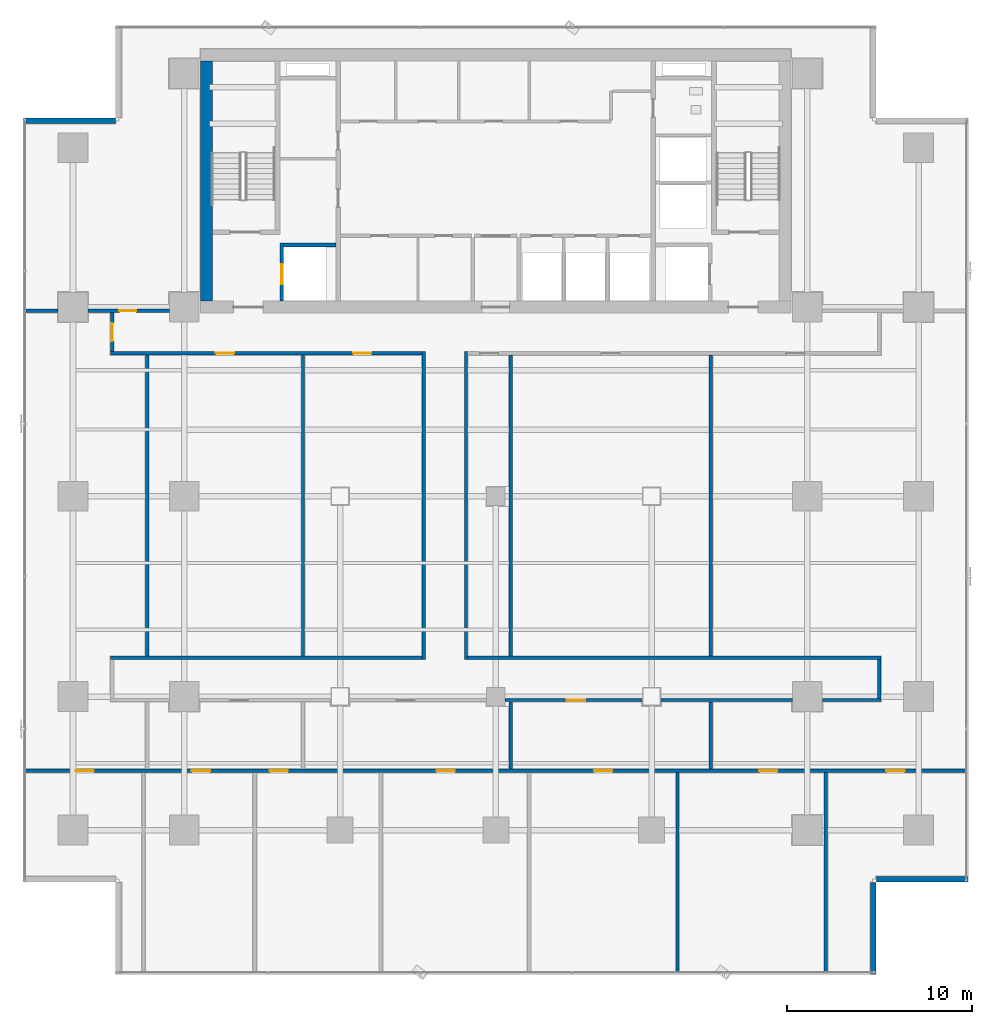
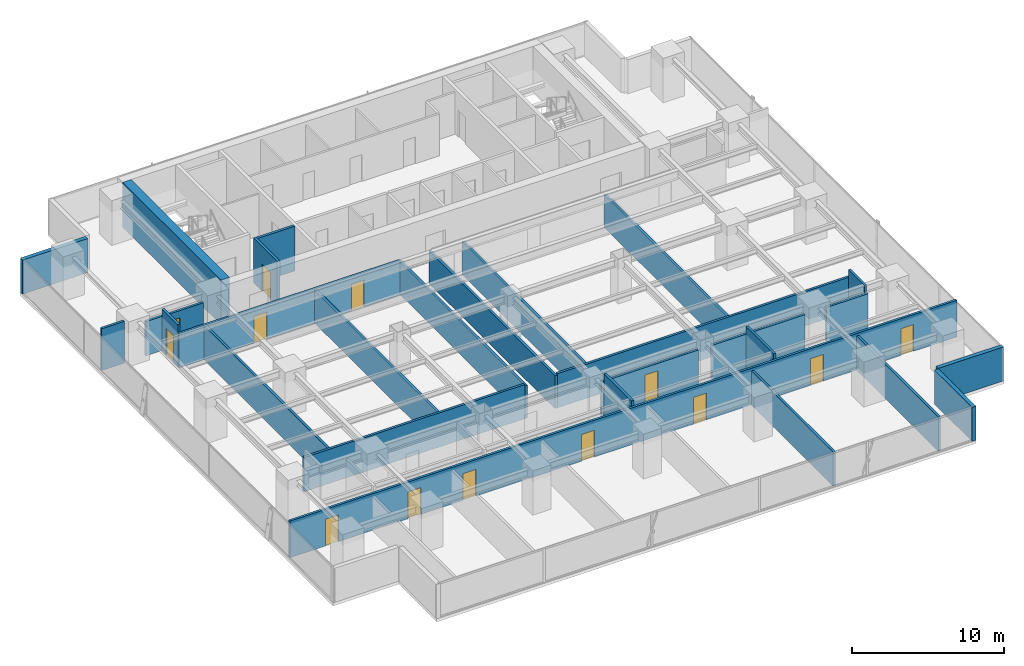
# One storey, part 28 of 37: 27 walls, 13 doors, 13 openings.
"""IFC4 building model written with IfcOpenShell, lengths in metres."""

from ifc_helpers import new_model, si_unit, direction, frame, frame_2d, origin, place, context, subcontext, project, spatial, rectangle, extrude, source, transform, mapped, material, layer, layer_set, type_object, element, fill, save


model = new_model("IFC4")

# Units and contexts
model_context = context("Model", 3, precision=1e-05, world=origin(), true_north=direction((0.0, 1.0)))
body_context = subcontext(model_context, "Body", "Model", "MODEL_VIEW")
ifc_project = project(units=[si_unit("LENGTHUNIT", "METRE"), si_unit("AREAUNIT", "SQUARE_METRE"), si_unit("VOLUMEUNIT", "CUBIC_METRE"), si_unit("PLANEANGLEUNIT", "RADIAN"), si_unit("MASSUNIT", "GRAM", prefix="KILO")], contexts=[model_context])

# Site, building, storey
site_placement = place(None, origin())
site = spatial("IfcSite", under=ifc_project, at=site_placement, CompositionType="ELEMENT")
building_placement = place(site_placement, origin())
building = spatial("IfcBuilding", under=site, at=building_placement, Name="Sumidabori Civic Tower", CompositionType="ELEMENT")
storey_placement = place(building_placement, frame((0.0, 0.0, 117.199951171875)))
storey = spatial("IfcBuildingStorey", under=building, at=storey_placement, Name="L30", CompositionType="ELEMENT", Elevation=117.199951171875)

# Walls
ifc_material_1 = material(Name="Concrete C50/60", Category="concrete")
ifc_layer_1 = layer(ifc_material_1, 0.199951171875, Name="Concrete C50/60")
ifc_layer_set_1 = layer_set([ifc_layer_1], Name="Concrete C50/60")
wall_type_1 = type_object("IfcWallType", Name="WL-SHAFT-200", PredefinedType="SHEAR", material=ifc_layer_set_1)
shared_shape_1 = source(origin(), body_context, "Body", "SweptSolid", [
    extrude(rectangle(XDim=2.824951171875, YDim=0.199951171875, at=frame_2d((1.41259765625, 0.0))), origin(), (0.0, 0.0, 1.0), 3.60009765625),
])
wall_1_placement = place(storey_placement, frame((-11.449951171875, 13.550048828125, 0.0), z_axis=(0.0, 0.0, 1.0), x_axis=(1.0, 0.0, 0.0)))
element("IfcWall", 1, at=wall_1_placement, inside=storey, type_object=wall_type_1, Name="Core Shear Wall L30 EL1-N", PredefinedType="SHEAR", context=body_context, shape_type="MappedRepresentation", body=[
    mapped(shared_shape_1, transform((0.0, 0.0, 0.0), x_axis=(1.0, 0.0, 0.0), y_axis=(0.0, 1.0, 0.0), z_axis=(0.0, 0.0, 1.0), scale=1.0)),
])
ifc_material_2 = material(Name="Concrete C60/75", Category="concrete")
ifc_layer_2 = layer(ifc_material_2, 0.64990234375, Name="Concrete C60/75")
ifc_layer_set_2 = layer_set([ifc_layer_2], Name="Concrete C60/75")
wall_type_2 = type_object("IfcWallType", Name="WL-CORE-650", PredefinedType="SHEAR", material=ifc_layer_set_2)
shared_shape_2 = source(origin(), body_context, "Body", "SweptSolid", [
    extrude(rectangle(XDim=12.9501953125, YDim=0.64990234375, at=frame_2d((6.47509765625, 0.0))), origin(), (0.0, 0.0, 1.0), 3.60009765625),
])
wall_2_placement = place(storey_placement, frame((-15.60009765625, 10.52490234375, 0.0), z_axis=(0.0, 0.0, 1.0), x_axis=(0.0, 1.0, 0.0)))
element("IfcWall", 2, at=wall_2_placement, inside=storey, type_object=wall_type_2, Name="Core Shear Wall L30 W", PredefinedType="SHEAR", context=body_context, shape_type="MappedRepresentation", body=[
    mapped(shared_shape_2, transform((0.0, 0.0, 0.0), x_axis=(1.0, 0.0, 0.0), y_axis=(0.0, 1.0, 0.0), z_axis=(0.0, 0.0, 1.0), scale=1.0)),
])

# Wall, opening, door
shared_shape_3 = source(origin(), body_context, "Body", "SweptSolid", [
    extrude(rectangle(XDim=3.125, YDim=0.199951171875, at=frame_2d((1.5625, 0.0))), origin(), (0.0, 0.0, 1.0), 3.60009765625),
])
wall_3_placement = place(storey_placement, frame((-11.550048828125, 10.52490234375, 0.0), z_axis=(0.0, 0.0, 1.0), x_axis=(0.0, 1.0, 0.0)))
wall_3 = element("IfcWall", 3, at=wall_3_placement, inside=storey, type_object=wall_type_1, Name="Core Shear Wall L30 EL1-W", PredefinedType="SHEAR", context=body_context, shape_type="MappedRepresentation", body=[
    mapped(shared_shape_3, transform((0.0, 0.0, 0.0), x_axis=(1.0, 0.0, 0.0), y_axis=(0.0, 1.0, 0.0), z_axis=(0.0, 0.0, 1.0), scale=1.0)),
])
opening_1_placement = place(wall_3_placement, frame((0.89990234375, 0.0, 0.0)))
opening_1 = element("IfcOpeningElement", 4, at=opening_1_placement, cuts=wall_3, Name="Opening LD-2", PredefinedType="OPENING", context=body_context, shape_type="SweptSolid", body=[
    extrude(rectangle(XDim=1.10009765625, YDim=2.14990234375, at=frame_2d((0.550048828125, 1.074951171875))), frame((0.0, 0.11181640625, 0.0), z_axis=(0.0, -1.0, 0.0), x_axis=(1.0, 0.0, 0.0)), (0.0, 0.0, 1.0), 0.223876953125),
])
ifc_material_3 = material(Name="Stainless Steel Hairline Finish", Category="steel")
door_type_1 = type_object("IfcDoorType", Name="DR-LD2", OperationType="DOUBLE_DOOR_SLIDING", PredefinedType="DOOR", material=ifc_material_3)
shared_shape_4 = source(origin(), body_context, "Body", "SweptSolid", [
    extrude(rectangle(XDim=1.10009765625, YDim=2.14990234375, at=frame_2d((0.550048828125, 1.074951171875))), frame((0.0, 0.02490234375, 0.0), z_axis=(0.0, -1.0, 0.0), x_axis=(1.0, 0.0, 0.0)), (0.0, 0.0, 1.0), 0.050048828125),
])
door_1_placement = place(opening_1_placement, origin())
door_1 = element("IfcDoor", 5, at=door_1_placement, inside=storey, type_object=door_type_1, Name="Door DR:L30:LD-EL1", OperationType="DOUBLE_DOOR_SLIDING", OverallHeight=2.14990234375, OverallWidth=1.10009765625, PredefinedType="DOOR", context=body_context, shape_type="MappedRepresentation", body=[
    mapped(shared_shape_4, transform((0.0, 0.0, 0.0), x_axis=(1.0, 0.0, 0.0), y_axis=(0.0, 1.0, 0.0), z_axis=(0.0, 0.0, 1.0), scale=1.0)),
])
fill(opening_1, door_1)

# Walls
ifc_material_4 = material(Name="Precast concrete C40/50", Category="concrete")
ifc_layer_3 = layer(ifc_material_4, 0.300048828125, Name="Precast concrete C40/50")
ifc_layer_set_3 = layer_set([ifc_layer_3], Name="Precast concrete C40/50")
wall_type_3 = type_object("IfcWallType", Name="WL-EXT-POD300", PredefinedType="STANDARD", material=ifc_layer_set_3)
shared_shape_5 = source(origin(), body_context, "Body", "SweptSolid", [
    extrude(rectangle(XDim=4.9599609375, YDim=0.300048828125, at=frame_2d((2.47998046875, 0.0))), origin(), (0.0, 0.0, 1.0), 2.739990234375),
])
for number, where, z_axis, x_axis, name in (
    (6, (20.35009765625, -25.780029296875, 0.0), (0.0, 0.0, 1.0), (0.0, 1.0, 0.0), "Notched Corner Spandrel Band L30-02"),
    (7, (20.52001953125, -20.64990234375, 0.0), (0.0, 0.0, 1.0), (1.0, 0.0, 0.0), "Notched Corner Spandrel Band L30-03"),
    (8, (-20.52001953125, 20.25, 0.0), (0.0, 0.0, 1.0), (-1.0, 0.0, 0.0), "Notched Corner Spandrel Band L30-09"),
):
    element("IfcWall", number, at=place(storey_placement, frame(where, z_axis=z_axis, x_axis=x_axis)), inside=storey, type_object=wall_type_3, Name=name, PredefinedType="STANDARD", context=body_context, shape_type="MappedRepresentation", body=[
        mapped(shared_shape_5, transform((0.0, 0.0, 0.0), x_axis=(1.0, 0.0, 0.0), y_axis=(0.0, 1.0, 0.0), z_axis=(0.0, 0.0, 1.0), scale=1.0)),
    ])
ifc_material_5 = material(Name="Gypsum Plasterboard Acoustic Partition")
ifc_layer_4 = layer(ifc_material_5, 0.179931640625, Name="Gypsum Plasterboard Acoustic Partition")
ifc_layer_set_4 = layer_set([ifc_layer_4], Name="Gypsum Plasterboard Acoustic Partition")
wall_type_4 = type_object("IfcWallType", Name="WL-PART-180", PredefinedType="PARTITIONING", material=ifc_layer_set_4)
shared_shape_6 = source(origin(), body_context, "Body", "SweptSolid", [
    extrude(rectangle(XDim=16.60009765625, YDim=0.179931640625, at=frame_2d((8.300048828125, 0.0))), origin(), (0.0, 0.0, 1.0), 2.64501953125),
])
for number, where, z_axis, x_axis, name in (
    (9, (-3.889892578125, -8.800048828125, 0.0), (0.0, 0.0, 1.0), (0.0, 1.0, 0.0), "Interior Partition WL:L30:CORR-VSP-W"),
    (10, (-1.610107421875, -8.800048828125, 0.0), (0.0, 0.0, 1.0), (0.0, 1.0, 0.0), "Interior Partition WL:L30:CORR-VSP-E"),
):
    element("IfcWall", number, at=place(storey_placement, frame(where, z_axis=z_axis, x_axis=x_axis)), inside=storey, type_object=wall_type_4, Name=name, PredefinedType="PARTITIONING", context=body_context, shape_type="MappedRepresentation", body=[
        mapped(shared_shape_6, transform((0.0, 0.0, 0.0), x_axis=(1.0, 0.0, 0.0), y_axis=(0.0, 1.0, 0.0), z_axis=(0.0, 0.0, 1.0), scale=1.0)),
    ])
shared_shape_7 = source(origin(), body_context, "Body", "SweptSolid", [
    extrude(rectangle(XDim=16.22998046875, YDim=0.179931640625, at=frame_2d((8.114990234375, 0.0))), origin(), (0.0, 0.0, 1.0), 2.64501953125),
])
for number, where, z_axis, x_axis, name in (
    (11, (-10.39990234375, -8.614990234375, 0.0), (0.0, 0.0, 1.0), (0.0, 1.0, 0.0), "Interior Partition WL:L30:VX-N2-2"),
    (12, (0.800048828125, -8.614990234375, 0.0), (0.0, 0.0, 1.0), (0.0, 1.0, 0.0), "Interior Partition WL:L30:VX-N3-2"),
    (13, (11.60009765625, -8.614990234375, 0.0), (0.0, 0.0, 1.0), (0.0, 1.0, 0.0), "Interior Partition WL:L30:VX-N4-2"),
):
    element("IfcWall", number, at=place(storey_placement, frame(where, z_axis=z_axis, x_axis=x_axis)), inside=storey, type_object=wall_type_4, Name=name, PredefinedType="PARTITIONING", context=body_context, shape_type="MappedRepresentation", body=[
        mapped(shared_shape_7, transform((0.0, 0.0, 0.0), x_axis=(1.0, 0.0, 0.0), y_axis=(0.0, 1.0, 0.0), z_axis=(0.0, 0.0, 1.0), scale=1.0)),
    ])
shared_shape_8 = source(origin(), body_context, "Body", "SweptSolid", [
    extrude(rectangle(XDim=1.739990234375, YDim=0.179931640625, at=frame_2d((0.8701171875, 0.0))), origin(), (0.0, 0.0, 1.0), 3.360107421875),
])
wall_4_placement = place(storey_placement, frame((-25.35009765625, 10.0, 0.0), z_axis=(0.0, 0.0, 1.0), x_axis=(1.0, 0.0, 0.0)))
element("IfcWall", 14, at=wall_4_placement, inside=storey, type_object=wall_type_4, Name="Interior Partition WL:L30:FLK-NW-1", PredefinedType="PARTITIONING", context=body_context, shape_type="MappedRepresentation", body=[
    mapped(shared_shape_8, transform((0.0, 0.0, 0.0), x_axis=(1.0, 0.0, 0.0), y_axis=(0.0, 1.0, 0.0), z_axis=(0.0, 0.0, 1.0), scale=1.0)),
])

# Wall, opening, door
shared_shape_9 = source(origin(), body_context, "Body", "SweptSolid", [
    extrude(rectangle(XDim=4.3798828125, YDim=0.179931640625, at=frame_2d((2.18994140625, 0.0))), origin(), (0.0, 0.0, 1.0), 2.7451171875),
])
wall_5_placement = place(storey_placement, frame((-21.989990234375, 10.0, 0.0), z_axis=(0.0, 0.0, 1.0), x_axis=(1.0, 0.0, 0.0)))
wall_5 = element("IfcWall", 15, at=wall_5_placement, inside=storey, type_object=wall_type_4, Name="Interior Partition WL:L30:FLK-NW-2", PredefinedType="PARTITIONING", context=body_context, shape_type="MappedRepresentation", body=[
    mapped(shared_shape_9, transform((0.0, 0.0, 0.0), x_axis=(1.0, 0.0, 0.0), y_axis=(0.0, 1.0, 0.0), z_axis=(0.0, 0.0, 1.0), scale=1.0)),
])
opening_2_placement = place(wall_5_placement, frame((1.695068359375, 0.0, 0.0)))
opening_2 = element("IfcOpeningElement", 16, at=opening_2_placement, cuts=wall_5, Name="Opening DR-1", PredefinedType="OPENING", context=body_context, shape_type="SweptSolid", body=[
    extrude(rectangle(XDim=0.89990234375, YDim=2.14990234375, at=frame_2d((0.449951171875, 1.074951171875))), frame((0.0, 0.10205078125, 0.0), z_axis=(0.0, -1.0, 0.0), x_axis=(1.0, 0.0, 0.0)), (0.0, 0.0, 1.0), 0.203857421875),
])
ifc_material_6 = material(Name="Japanese Hinoki Timber", Category="wood")
door_type_2 = type_object("IfcDoorType", Name="DR-INT-900", OperationType="NOTDEFINED", PredefinedType="DOOR", material=ifc_material_6)
shared_shape_10 = source(origin(), body_context, "Body", "SweptSolid", [
    extrude(rectangle(XDim=0.89990234375, YDim=2.14990234375, at=frame_2d((0.449951171875, 1.074951171875))), frame((0.0, 0.02490234375, 0.0), z_axis=(0.0, -1.0, 0.0), x_axis=(1.0, 0.0, 0.0)), (0.0, 0.0, 1.0), 0.050048828125),
])
door_2_placement = place(opening_2_placement, origin())
door_2 = element("IfcDoor", 17, at=door_2_placement, inside=storey, type_object=door_type_2, Name="Door DR:L30:FLK-NW", OperationType="SINGLE_SWING_LEFT", OverallHeight=2.14990234375, OverallWidth=0.89990234375, PredefinedType="DOOR", context=body_context, shape_type="MappedRepresentation", body=[
    mapped(shared_shape_10, transform((0.0, 0.0, 0.0), x_axis=(1.0, 0.0, 0.0), y_axis=(0.0, 1.0, 0.0), z_axis=(0.0, 0.0, 1.0), scale=1.0)),
])
fill(opening_2, door_2)

# Wall, openings, doors
shared_shape_11 = source(origin(), body_context, "Body", "SweptSolid", [
    extrude(rectangle(XDim=16.800048828125, YDim=0.179931640625, at=frame_2d((8.39990234375, 0.0))), origin(), (0.0, 0.0, 1.0), 2.7451171875),
])
wall_6_placement = place(storey_placement, frame((-20.780029296875, 7.7099609375, 0.0), z_axis=(0.0, 0.0, 1.0), x_axis=(1.0, 0.0, 0.0)))
wall_6 = element("IfcWall", 18, at=wall_6_placement, inside=storey, type_object=wall_type_4, Name="Interior Partition WL:L30:CORR-SW", PredefinedType="PARTITIONING", context=body_context, shape_type="MappedRepresentation", body=[
    mapped(shared_shape_11, transform((0.0, 0.0, 0.0), x_axis=(1.0, 0.0, 0.0), y_axis=(0.0, 1.0, 0.0), z_axis=(0.0, 0.0, 1.0), scale=1.0)),
])
opening_3_placement = place(wall_6_placement, frame((5.68994140625, 0.0, 0.0)))
opening_3 = element("IfcOpeningElement", 19, at=opening_3_placement, cuts=wall_6, Name="Opening DR-3", PredefinedType="OPENING", context=body_context, shape_type="SweptSolid", body=[
    extrude(rectangle(XDim=0.97998046875, YDim=2.14990234375, at=frame_2d((0.489990234375, 1.074951171875))), frame((0.0, 0.10205078125, 0.0), z_axis=(0.0, -1.0, 0.0), x_axis=(1.0, 0.0, 0.0)), (0.0, 0.0, 1.0), 0.203857421875),
])
opening_4_placement = place(wall_6_placement, frame((13.0849609375, 0.0, 0.0)))
opening_4 = element("IfcOpeningElement", 20, at=opening_4_placement, cuts=wall_6, Name="Opening DR-3", PredefinedType="OPENING", context=body_context, shape_type="SweptSolid", body=[
    extrude(rectangle(XDim=0.97998046875, YDim=2.14990234375, at=frame_2d((0.489990234375, 1.074951171875))), frame((0.0, 0.10205078125, 0.0), z_axis=(0.0, -1.0, 0.0), x_axis=(1.0, 0.0, 0.0)), (0.0, 0.0, 1.0), 0.203857421875),
])
door_type_3 = type_object("IfcDoorType", Name="DR-INT-980", OperationType="NOTDEFINED", PredefinedType="DOOR", material=ifc_material_6)
shared_shape_12 = source(origin(), body_context, "Body", "SweptSolid", [
    extrude(rectangle(XDim=0.97998046875, YDim=2.14990234375, at=frame_2d((0.489990234375, 1.074951171875))), frame((0.0, 0.02490234375, 0.0), z_axis=(0.0, -1.0, 0.0), x_axis=(1.0, 0.0, 0.0)), (0.0, 0.0, 1.0), 0.050048828125),
])
door_3_placement = place(opening_3_placement, origin())
door_3 = element("IfcDoor", 21, at=door_3_placement, inside=storey, type_object=door_type_3, Name="Door DR:L30:D02", OperationType="SINGLE_SWING_RIGHT", OverallHeight=2.14990234375, OverallWidth=0.97998046875, PredefinedType="DOOR", context=body_context, shape_type="MappedRepresentation", body=[
    mapped(shared_shape_12, transform((0.0, 0.0, 0.0), x_axis=(1.0, 0.0, 0.0), y_axis=(0.0, 1.0, 0.0), z_axis=(0.0, 0.0, 1.0), scale=1.0)),
])
fill(opening_3, door_3)
door_4_placement = place(opening_4_placement, origin())
door_4 = element("IfcDoor", 22, at=door_4_placement, inside=storey, type_object=door_type_3, Name="Door DR:L30:D03", OperationType="SINGLE_SWING_LEFT", OverallHeight=2.14990234375, OverallWidth=0.97998046875, PredefinedType="DOOR", context=body_context, shape_type="MappedRepresentation", body=[
    mapped(shared_shape_12, transform((0.0, 0.0, 0.0), x_axis=(1.0, 0.0, 0.0), y_axis=(0.0, 1.0, 0.0), z_axis=(0.0, 0.0, 1.0), scale=1.0)),
])
fill(opening_4, door_4)

# Walls
wall_7_placement = place(storey_placement, frame((-20.780029296875, -8.7099609375, 0.0), z_axis=(0.0, 0.0, 1.0), x_axis=(1.0, 0.0, 0.0)))
element("IfcWall", 23, at=wall_7_placement, inside=storey, type_object=wall_type_4, Name="Interior Partition WL:L30:CORR-MNW", PredefinedType="PARTITIONING", context=body_context, shape_type="MappedRepresentation", body=[
    mapped(shared_shape_11, transform((0.0, 0.0, 0.0), x_axis=(1.0, 0.0, 0.0), y_axis=(0.0, 1.0, 0.0), z_axis=(0.0, 0.0, 1.0), scale=1.0)),
])
shared_shape_13 = source(origin(), body_context, "Body", "SweptSolid", [
    extrude(rectangle(XDim=22.300048828125, YDim=0.179931640625, at=frame_2d((11.14990234375, 0.0))), origin(), (0.0, 0.0, 1.0), 2.7451171875),
])
wall_8_placement = place(storey_placement, frame((-1.52001953125, -8.7099609375, 0.0), z_axis=(0.0, 0.0, 1.0), x_axis=(1.0, 0.0, 0.0)))
element("IfcWall", 24, at=wall_8_placement, inside=storey, type_object=wall_type_4, Name="Interior Partition WL:L30:CORR-MNE", PredefinedType="PARTITIONING", context=body_context, shape_type="MappedRepresentation", body=[
    mapped(shared_shape_13, transform((0.0, 0.0, 0.0), x_axis=(1.0, 0.0, 0.0), y_axis=(0.0, 1.0, 0.0), z_axis=(0.0, 0.0, 1.0), scale=1.0)),
])
shared_shape_14 = source(origin(), body_context, "Body", "SweptSolid", [
    extrude(rectangle(XDim=3.169921875, YDim=0.179931640625, at=frame_2d((1.5849609375, 0.0))), origin(), (0.0, 0.0, 1.0), 2.7451171875),
])
wall_9_placement = place(storey_placement, frame((17.610107421875, -10.989990234375, 0.0), z_axis=(0.0, 0.0, 1.0), x_axis=(1.0, 0.0, 0.0)))
element("IfcWall", 25, at=wall_9_placement, inside=storey, type_object=wall_type_4, Name="Interior Partition WL:L30:CORR-SS-6", PredefinedType="PARTITIONING", context=body_context, shape_type="MappedRepresentation", body=[
    mapped(shared_shape_14, transform((0.0, 0.0, 0.0), x_axis=(1.0, 0.0, 0.0), y_axis=(0.0, 1.0, 0.0), z_axis=(0.0, 0.0, 1.0), scale=1.0)),
])
shared_shape_15 = source(origin(), body_context, "Body", "SweptSolid", [
    extrude(rectangle(XDim=7.080078125, YDim=0.179931640625, at=frame_2d((3.5400390625, 0.0))), origin(), (0.0, 0.0, 1.0), 2.7451171875),
])
wall_10_placement = place(storey_placement, frame((8.909912109375, -10.989990234375, 0.0), z_axis=(0.0, 0.0, 1.0), x_axis=(1.0, 0.0, 0.0)))
element("IfcWall", 26, at=wall_10_placement, inside=storey, type_object=wall_type_4, Name="Interior Partition WL:L30:CORR-SS-5", PredefinedType="PARTITIONING", context=body_context, shape_type="MappedRepresentation", body=[
    mapped(shared_shape_15, transform((0.0, 0.0, 0.0), x_axis=(1.0, 0.0, 0.0), y_axis=(0.0, 1.0, 0.0), z_axis=(0.0, 0.0, 1.0), scale=1.0)),
])

# Wall, opening, door
shared_shape_16 = source(origin(), body_context, "Body", "SweptSolid", [
    extrude(rectangle(XDim=7.3798828125, YDim=0.179931640625, at=frame_2d((3.68994140625, 0.0))), origin(), (0.0, 0.0, 1.0), 2.7451171875),
])
wall_11_placement = place(storey_placement, frame((0.510009765625, -10.989990234375, 0.0), z_axis=(0.0, 0.0, 1.0), x_axis=(1.0, 0.0, 0.0)))
wall_11 = element("IfcWall", 27, at=wall_11_placement, inside=storey, type_object=wall_type_4, Name="Interior Partition WL:L30:CORR-SS-4", PredefinedType="PARTITIONING", context=body_context, shape_type="MappedRepresentation", body=[
    mapped(shared_shape_16, transform((0.0, 0.0, 0.0), x_axis=(1.0, 0.0, 0.0), y_axis=(0.0, 1.0, 0.0), z_axis=(0.0, 0.0, 1.0), scale=1.0)),
])
opening_5_placement = place(wall_11_placement, frame((3.330078125, 0.0, 0.0)))
opening_5 = element("IfcOpeningElement", 28, at=opening_5_placement, cuts=wall_11, Name="Opening DR-3", PredefinedType="OPENING", context=body_context, shape_type="SweptSolid", body=[
    extrude(rectangle(XDim=0.97998046875, YDim=2.14990234375, at=frame_2d((0.489990234375, 1.074951171875))), frame((0.0, 0.10205078125, 0.0), z_axis=(0.0, -1.0, 0.0), x_axis=(1.0, 0.0, 0.0)), (0.0, 0.0, 1.0), 0.203857421875),
])
door_5_placement = place(opening_5_placement, origin())
door_5 = element("IfcDoor", 29, at=door_5_placement, inside=storey, type_object=door_type_3, Name="Door DR:L30:D10", OperationType="SINGLE_SWING_RIGHT", OverallHeight=2.14990234375, OverallWidth=0.97998046875, PredefinedType="DOOR", context=body_context, shape_type="MappedRepresentation", body=[
    mapped(shared_shape_12, transform((0.0, 0.0, 0.0), x_axis=(1.0, 0.0, 0.0), y_axis=(0.0, 1.0, 0.0), z_axis=(0.0, 0.0, 1.0), scale=1.0)),
])
fill(opening_5, door_5)

shared_shape_17 = source(origin(), body_context, "Body", "SweptSolid", [
    extrude(rectangle(XDim=2.10009765625, YDim=0.179931640625, at=frame_2d((1.050048828125, 0.0))), origin(), (0.0, 0.0, 1.0), 3.360107421875),
])
wall_12_placement = place(storey_placement, frame((-20.68994140625, 7.804931640625, 0.0), z_axis=(0.0, 0.0, 1.0), x_axis=(0.0, 1.0, 0.0)))
wall_12 = element("IfcWall", 30, at=wall_12_placement, inside=storey, type_object=wall_type_4, Name="Interior Partition WL:L30:CORR-VNW", PredefinedType="PARTITIONING", context=body_context, shape_type="MappedRepresentation", body=[
    mapped(shared_shape_17, transform((0.0, 0.0, 0.0), x_axis=(1.0, 0.0, 0.0), y_axis=(0.0, 1.0, 0.0), z_axis=(0.0, 0.0, 1.0), scale=1.0)),
])
opening_6_placement = place(wall_12_placement, frame((0.56005859375, 0.0, 0.0)))
opening_6 = element("IfcOpeningElement", 31, at=opening_6_placement, cuts=wall_12, Name="Opening DR-3", PredefinedType="OPENING", context=body_context, shape_type="SweptSolid", body=[
    extrude(rectangle(XDim=0.97998046875, YDim=2.14990234375, at=frame_2d((0.489990234375, 1.074951171875))), frame((0.0, 0.10205078125, 0.0), z_axis=(0.0, -1.0, 0.0), x_axis=(1.0, 0.0, 0.0)), (0.0, 0.0, 1.0), 0.203857421875),
])
door_6_placement = place(opening_6_placement, origin())
door_6 = element("IfcDoor", 32, at=door_6_placement, inside=storey, type_object=door_type_3, Name="Door DR:L30:D06", OperationType="SINGLE_SWING_RIGHT", OverallHeight=2.14990234375, OverallWidth=0.97998046875, PredefinedType="DOOR", context=body_context, shape_type="MappedRepresentation", body=[
    mapped(shared_shape_12, transform((0.0, 0.0, 0.0), x_axis=(1.0, 0.0, 0.0), y_axis=(0.0, 1.0, 0.0), z_axis=(0.0, 0.0, 1.0), scale=1.0)),
])
fill(opening_6, door_6)

# Wall
shared_shape_18 = source(origin(), body_context, "Body", "SweptSolid", [
    extrude(rectangle(XDim=2.090087890625, YDim=0.179931640625, at=frame_2d((1.044921875, 0.0))), origin(), (0.0, 0.0, 1.0), 3.360107421875),
])
wall_13_placement = place(storey_placement, frame((20.68994140625, -10.89501953125, 0.0), z_axis=(0.0, 0.0, 1.0), x_axis=(0.0, 1.0, 0.0)))
element("IfcWall", 33, at=wall_13_placement, inside=storey, type_object=wall_type_4, Name="Interior Partition WL:L30:CORR-VSE", PredefinedType="PARTITIONING", context=body_context, shape_type="MappedRepresentation", body=[
    mapped(shared_shape_18, transform((0.0, 0.0, 0.0), x_axis=(1.0, 0.0, 0.0), y_axis=(0.0, 1.0, 0.0), z_axis=(0.0, 0.0, 1.0), scale=1.0)),
])

# Wall, openings, doors
shared_shape_19 = source(origin(), body_context, "Body", "SweptSolid", [
    extrude(rectangle(XDim=50.7001953125, YDim=0.179931640625, at=frame_2d((25.35009765625, 0.0))), origin(), (0.0, 0.0, 1.0), 2.945068359375),
])
wall_14_placement = place(storey_placement, frame((-25.35009765625, -14.800048828125, 0.0), z_axis=(0.0, 0.0, 1.0), x_axis=(1.0, 0.0, 0.0)))
wall_14 = element("IfcWall", 34, at=wall_14_placement, inside=storey, type_object=wall_type_4, Name="Interior Partition WL:L30:BAND-Y", PredefinedType="PARTITIONING", context=body_context, shape_type="MappedRepresentation", body=[
    mapped(shared_shape_19, transform((0.0, 0.0, 0.0), x_axis=(1.0, 0.0, 0.0), y_axis=(0.0, 1.0, 0.0), z_axis=(0.0, 0.0, 1.0), scale=1.0)),
])
opening_7_placement = place(wall_14_placement, frame((2.699951171875, 0.0, 0.0)))
opening_7 = element("IfcOpeningElement", 35, at=opening_7_placement, cuts=wall_14, Name="Opening DR-3", PredefinedType="OPENING", context=body_context, shape_type="SweptSolid", body=[
    extrude(rectangle(XDim=0.97998046875, YDim=2.14990234375, at=frame_2d((0.489990234375, 1.074951171875))), frame((0.0, 0.10205078125, 0.0), z_axis=(0.0, -1.0, 0.0), x_axis=(1.0, 0.0, 0.0)), (0.0, 0.0, 1.0), 0.203857421875),
])
opening_8_placement = place(wall_14_placement, frame((46.419921875, 0.0, 0.0)))
opening_8 = element("IfcOpeningElement", 36, at=opening_8_placement, cuts=wall_14, Name="Opening DR-3", PredefinedType="OPENING", context=body_context, shape_type="SweptSolid", body=[
    extrude(rectangle(XDim=0.97998046875, YDim=2.14990234375, at=frame_2d((0.489990234375, 1.074951171875))), frame((0.0, 0.10205078125, 0.0), z_axis=(0.0, -1.0, 0.0), x_axis=(1.0, 0.0, 0.0)), (0.0, 0.0, 1.0), 0.203857421875),
])
opening_9_placement = place(wall_14_placement, frame((13.159912109375, 0.0, 0.0)))
opening_9 = element("IfcOpeningElement", 37, at=opening_9_placement, cuts=wall_14, Name="Opening DR-3", PredefinedType="OPENING", context=body_context, shape_type="SweptSolid", body=[
    extrude(rectangle(XDim=0.97998046875, YDim=2.14990234375, at=frame_2d((0.489990234375, 1.074951171875))), frame((0.0, 0.10205078125, 0.0), z_axis=(0.0, -1.0, 0.0), x_axis=(1.0, 0.0, 0.0)), (0.0, 0.0, 1.0), 0.203857421875),
])
opening_10_placement = place(wall_14_placement, frame((22.159912109375, 0.0, 0.0)))
opening_10 = element("IfcOpeningElement", 38, at=opening_10_placement, cuts=wall_14, Name="Opening DR-3", PredefinedType="OPENING", context=body_context, shape_type="SweptSolid", body=[
    extrude(rectangle(XDim=0.97998046875, YDim=2.14990234375, at=frame_2d((0.489990234375, 1.074951171875))), frame((0.0, 0.10205078125, 0.0), z_axis=(0.0, -1.0, 0.0), x_axis=(1.0, 0.0, 0.0)), (0.0, 0.0, 1.0), 0.203857421875),
])
opening_11_placement = place(wall_14_placement, frame((30.659912109375, 0.0, 0.0)))
opening_11 = element("IfcOpeningElement", 39, at=opening_11_placement, cuts=wall_14, Name="Opening DR-3", PredefinedType="OPENING", context=body_context, shape_type="SweptSolid", body=[
    extrude(rectangle(XDim=0.97998046875, YDim=2.14990234375, at=frame_2d((0.489990234375, 1.074951171875))), frame((0.0, 0.10205078125, 0.0), z_axis=(0.0, -1.0, 0.0), x_axis=(1.0, 0.0, 0.0)), (0.0, 0.0, 1.0), 0.203857421875),
])
opening_12_placement = place(wall_14_placement, frame((8.9599609375, 0.0, 0.0)))
opening_12 = element("IfcOpeningElement", 40, at=opening_12_placement, cuts=wall_14, Name="Opening DR-3", PredefinedType="OPENING", context=body_context, shape_type="SweptSolid", body=[
    extrude(rectangle(XDim=0.97998046875, YDim=2.14990234375, at=frame_2d((0.489990234375, 1.074951171875))), frame((0.0, 0.10205078125, 0.0), z_axis=(0.0, -1.0, 0.0), x_axis=(1.0, 0.0, 0.0)), (0.0, 0.0, 1.0), 0.203857421875),
])
opening_13_placement = place(wall_14_placement, frame((39.56005859375, 0.0, 0.0)))
opening_13 = element("IfcOpeningElement", 41, at=opening_13_placement, cuts=wall_14, Name="Opening DR-3", PredefinedType="OPENING", context=body_context, shape_type="SweptSolid", body=[
    extrude(rectangle(XDim=0.97998046875, YDim=2.14990234375, at=frame_2d((0.489990234375, 1.074951171875))), frame((0.0, 0.10205078125, 0.0), z_axis=(0.0, -1.0, 0.0), x_axis=(1.0, 0.0, 0.0)), (0.0, 0.0, 1.0), 0.203857421875),
])
door_7_placement = place(opening_7_placement, origin())
door_7 = element("IfcDoor", 42, at=door_7_placement, inside=storey, type_object=door_type_3, Name="Door DR:L30:D11", OperationType="SINGLE_SWING_LEFT", OverallHeight=2.14990234375, OverallWidth=0.97998046875, PredefinedType="DOOR", context=body_context, shape_type="MappedRepresentation", body=[
    mapped(shared_shape_12, transform((0.0, 0.0, 0.0), x_axis=(1.0, 0.0, 0.0), y_axis=(0.0, 1.0, 0.0), z_axis=(0.0, 0.0, 1.0), scale=1.0)),
])
fill(opening_7, door_7)
door_8_placement = place(opening_8_placement, origin())
door_8 = element("IfcDoor", 43, at=door_8_placement, inside=storey, type_object=door_type_3, Name="Door DR:L30:D12", OperationType="SINGLE_SWING_RIGHT", OverallHeight=2.14990234375, OverallWidth=0.97998046875, PredefinedType="DOOR", context=body_context, shape_type="MappedRepresentation", body=[
    mapped(shared_shape_12, transform((0.0, 0.0, 0.0), x_axis=(1.0, 0.0, 0.0), y_axis=(0.0, 1.0, 0.0), z_axis=(0.0, 0.0, 1.0), scale=1.0)),
])
fill(opening_8, door_8)
door_9_placement = place(opening_9_placement, origin())
door_9 = element("IfcDoor", 44, at=door_9_placement, inside=storey, type_object=door_type_3, Name="Door DR:L30:D13", OperationType="SINGLE_SWING_LEFT", OverallHeight=2.14990234375, OverallWidth=0.97998046875, PredefinedType="DOOR", context=body_context, shape_type="MappedRepresentation", body=[
    mapped(shared_shape_12, transform((0.0, 0.0, 0.0), x_axis=(1.0, 0.0, 0.0), y_axis=(0.0, 1.0, 0.0), z_axis=(0.0, 0.0, 1.0), scale=1.0)),
])
fill(opening_9, door_9)
door_10_placement = place(opening_10_placement, origin())
door_10 = element("IfcDoor", 45, at=door_10_placement, inside=storey, type_object=door_type_3, Name="Door DR:L30:D14", OperationType="SINGLE_SWING_RIGHT", OverallHeight=2.14990234375, OverallWidth=0.97998046875, PredefinedType="DOOR", context=body_context, shape_type="MappedRepresentation", body=[
    mapped(shared_shape_12, transform((0.0, 0.0, 0.0), x_axis=(1.0, 0.0, 0.0), y_axis=(0.0, 1.0, 0.0), z_axis=(0.0, 0.0, 1.0), scale=1.0)),
])
fill(opening_10, door_10)
door_11_placement = place(opening_11_placement, origin())
door_11 = element("IfcDoor", 46, at=door_11_placement, inside=storey, type_object=door_type_3, Name="Door DR:L30:D15", OperationType="SINGLE_SWING_LEFT", OverallHeight=2.14990234375, OverallWidth=0.97998046875, PredefinedType="DOOR", context=body_context, shape_type="MappedRepresentation", body=[
    mapped(shared_shape_12, transform((0.0, 0.0, 0.0), x_axis=(1.0, 0.0, 0.0), y_axis=(0.0, 1.0, 0.0), z_axis=(0.0, 0.0, 1.0), scale=1.0)),
])
fill(opening_11, door_11)
door_12_placement = place(opening_12_placement, origin())
door_12 = element("IfcDoor", 47, at=door_12_placement, inside=storey, type_object=door_type_3, Name="Door DR:L30:D16", OperationType="SINGLE_SWING_RIGHT", OverallHeight=2.14990234375, OverallWidth=0.97998046875, PredefinedType="DOOR", context=body_context, shape_type="MappedRepresentation", body=[
    mapped(shared_shape_12, transform((0.0, 0.0, 0.0), x_axis=(1.0, 0.0, 0.0), y_axis=(0.0, 1.0, 0.0), z_axis=(0.0, 0.0, 1.0), scale=1.0)),
])
fill(opening_12, door_12)
door_13_placement = place(opening_13_placement, origin())
door_13 = element("IfcDoor", 48, at=door_13_placement, inside=storey, type_object=door_type_3, Name="Door DR:L30:D17", OperationType="SINGLE_SWING_LEFT", OverallHeight=2.14990234375, OverallWidth=0.97998046875, PredefinedType="DOOR", context=body_context, shape_type="MappedRepresentation", body=[
    mapped(shared_shape_12, transform((0.0, 0.0, 0.0), x_axis=(1.0, 0.0, 0.0), y_axis=(0.0, 1.0, 0.0), z_axis=(0.0, 0.0, 1.0), scale=1.0)),
])
fill(opening_13, door_13)

# Walls
shared_shape_20 = source(origin(), body_context, "Body", "SweptSolid", [
    extrude(rectangle(XDim=3.6201171875, YDim=0.179931640625, at=frame_2d((1.81005859375, 0.0))), origin(), (0.0, 0.0, 1.0), 3.360107421875),
])
for number, where, z_axis, x_axis, name in (
    (49, (0.800048828125, -14.705078125, 0.0), (0.0, 0.0, 1.0), (0.0, 1.0, 0.0), "Interior Partition WL:L30:VX-N3-1"),
    (50, (11.60009765625, -14.705078125, 0.0), (0.0, 0.0, 1.0), (0.0, 1.0, 0.0), "Interior Partition WL:L30:VX-N4-1"),
):
    element("IfcWall", number, at=place(storey_placement, frame(where, z_axis=z_axis, x_axis=x_axis)), inside=storey, type_object=wall_type_4, Name=name, PredefinedType="PARTITIONING", context=body_context, shape_type="MappedRepresentation", body=[
        mapped(shared_shape_20, transform((0.0, 0.0, 0.0), x_axis=(1.0, 0.0, 0.0), y_axis=(0.0, 1.0, 0.0), z_axis=(0.0, 0.0, 1.0), scale=1.0)),
    ])
shared_shape_21 = source(origin(), body_context, "Body", "SweptSolid", [
    extrude(rectangle(XDim=16.22998046875, YDim=0.179931640625, at=frame_2d((8.114990234375, 0.0))), origin(), (0.0, 0.0, 1.0), 2.7451171875),
])
wall_15_placement = place(storey_placement, frame((-18.800048828125, -8.614990234375, 0.0), z_axis=(0.0, 0.0, 1.0), x_axis=(0.0, 1.0, 0.0)))
element("IfcWall", 51, at=wall_15_placement, inside=storey, type_object=wall_type_4, Name="Interior Partition WL:L30:VX-N1-2", PredefinedType="PARTITIONING", context=body_context, shape_type="MappedRepresentation", body=[
    mapped(shared_shape_21, transform((0.0, 0.0, 0.0), x_axis=(1.0, 0.0, 0.0), y_axis=(0.0, 1.0, 0.0), z_axis=(0.0, 0.0, 1.0), scale=1.0)),
])
shared_shape_22 = source(origin(), body_context, "Body", "SweptSolid", [
    extrude(rectangle(XDim=10.7548828125, YDim=0.179931640625, at=frame_2d((5.37744140625, 0.0))), origin(), (0.0, 0.0, 1.0), 2.7451171875),
])
for number, where, z_axis, x_axis, name in (
    (52, (9.800048828125, -25.64990234375, 0.0), (0.0, 0.0, 1.0), (0.0, 1.0, 0.0), "Interior Partition WL:L30:VX-S5"),
    (53, (17.800048828125, -25.64990234375, 0.0), (0.0, 0.0, 1.0), (0.0, 1.0, 0.0), "Interior Partition WL:L30:VX-S6"),
):
    element("IfcWall", number, at=place(storey_placement, frame(where, z_axis=z_axis, x_axis=x_axis)), inside=storey, type_object=wall_type_4, Name=name, PredefinedType="PARTITIONING", context=body_context, shape_type="MappedRepresentation", body=[
        mapped(shared_shape_22, transform((0.0, 0.0, 0.0), x_axis=(1.0, 0.0, 0.0), y_axis=(0.0, 1.0, 0.0), z_axis=(0.0, 0.0, 1.0), scale=1.0)),
    ])

save(model, "model.ifc")
